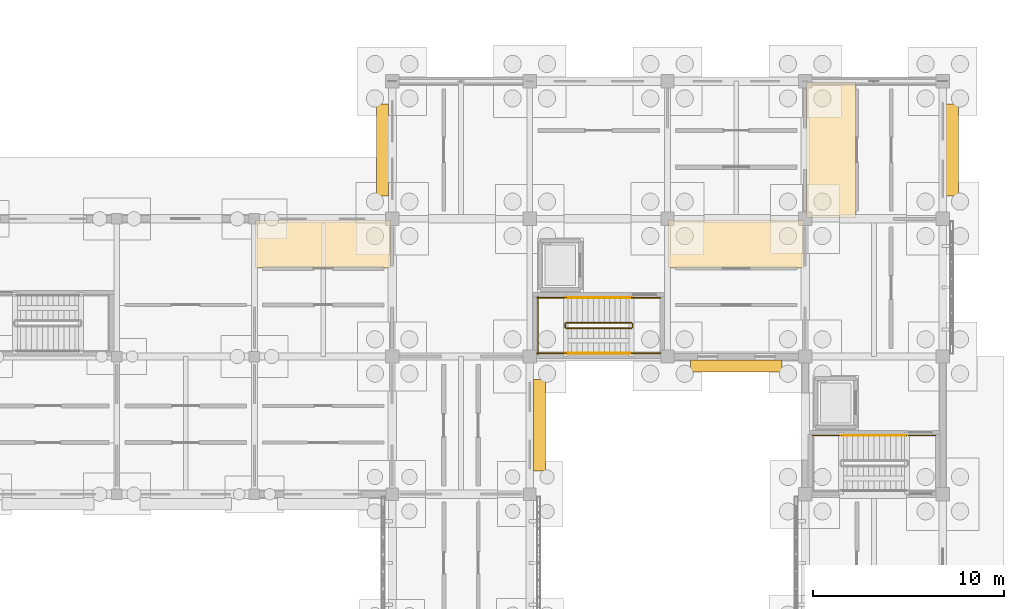
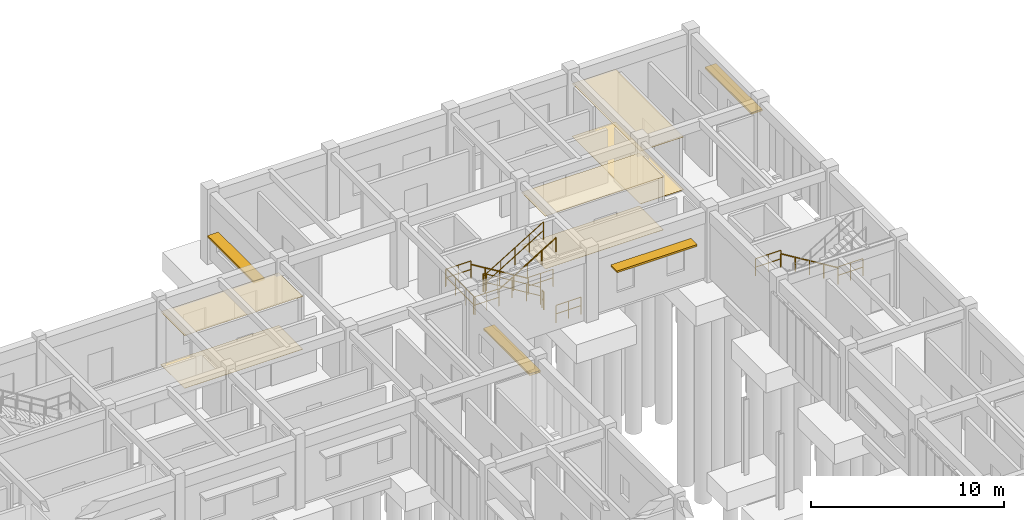
# One storey, part 110 of 111: 14 railings, 6 coverings, 4 shading devices.
"""IFC4 building model written with IfcOpenShell, lengths in metres."""

from ifc_helpers import new_model, si_unit, direction, frame, origin, origin_2d, place, context, subcontext, project, spatial, polyline, rectangle, circle, outline, extrude, material, layer, layer_set, type_object, element, save


model = new_model("IFC4")

# Units and contexts
model_context = context("Model", 3, precision=1e-05, world=origin(), true_north=direction((0.0, 1.0)))
body_context = subcontext(model_context, "Body", "Model", "MODEL_VIEW")
ifc_project = project(units=[si_unit("LENGTHUNIT", "METRE"), si_unit("AREAUNIT", "SQUARE_METRE"), si_unit("VOLUMEUNIT", "CUBIC_METRE"), si_unit("PLANEANGLEUNIT", "RADIAN"), si_unit("MASSUNIT", "GRAM", prefix="KILO")], contexts=[model_context])

# Site, building, storey
site_placement = place(None, origin())
site = spatial("IfcSite", under=ifc_project, at=site_placement, CompositionType="ELEMENT")
building_placement = place(site_placement, origin())
building = spatial("IfcBuilding", under=site, at=building_placement, Name="Aldebral Square Health Centre", CompositionType="ELEMENT")
storey_placement = place(building_placement, origin())
storey = spatial("IfcBuildingStorey", under=building, at=storey_placement, Name="L00", CompositionType="ELEMENT", Elevation=0.0)

# Coverings
ifc_material_1 = material(Name="Hygienic acoustic mineral ceiling tile")
ifc_layer_1 = layer(ifc_material_1, 0.02001953125, Name="Hygienic acoustic mineral ceiling tile")
ifc_layer_set_1 = layer_set([ifc_layer_1], Name="Hygienic acoustic mineral ceiling tile")
covering_type_1 = type_object("IfcCoveringType", Name="COV-CLG-AC", PredefinedType="CEILING", material=ifc_layer_set_1)
covering_1_placement = place(storey_placement, frame((0.0, 0.0, 3.340087890625)))
element("IfcCovering", 1, at=covering_1_placement, inside=storey, type_object=covering_type_1, Name="L00 Medical Records Archive 19.15N acoustic ceiling", PredefinedType="CEILING", context=body_context, shape_type="SweptSolid", body=[
    extrude(outline(polyline([(129.659912109375, 105.43994140625), (136.739990234375, 105.43994140625), (136.739990234375, 107.93994140625), (129.659912109375, 107.93994140625), (129.659912109375, 105.43994140625)])), origin(), (0.0, 0.0, 1.0), 0.02001953125),
])
covering_2_placement = place(storey_placement, frame((0.0, 0.0, 3.340087890625)))
element("IfcCovering", 2, at=covering_2_placement, inside=storey, type_object=covering_type_1, Name="L00 Medical Records Archive 22.15N acoustic ceiling", PredefinedType="CEILING", context=body_context, shape_type="SweptSolid", body=[
    extrude(outline(polyline([(151.260009765625, 105.43994140625), (158.340087890625, 105.43994140625), (158.340087890625, 107.93994140625), (151.260009765625, 107.93994140625), (151.260009765625, 105.43994140625)])), origin(), (0.0, 0.0, 1.0), 0.02001953125),
])
covering_3_placement = place(storey_placement, frame((0.0, 0.0, 3.340087890625)))
element("IfcCovering", 3, at=covering_3_placement, inside=storey, type_object=covering_type_1, Name="L00 Maternal-Child Clinic 23.16W acoustic ceiling", PredefinedType="CEILING", context=body_context, shape_type="SweptSolid", body=[
    extrude(outline(polyline([(158.4599609375, 108.06005859375), (161.06005859375, 108.06005859375), (161.06005859375, 115.139892578125), (158.4599609375, 115.139892578125), (158.4599609375, 108.06005859375)])), origin(), (0.0, 0.0, 1.0), 0.02001953125),
])
ifc_material_2 = material(Name="Antimicrobial clinical vinyl flooring")
ifc_layer_2 = layer(ifc_material_2, 0.014892578125, Name="Antimicrobial clinical vinyl flooring")
ifc_layer_set_2 = layer_set([ifc_layer_2], Name="Antimicrobial clinical vinyl flooring")
covering_type_2 = type_object("IfcCoveringType", Name="COV-FLR-VN", PredefinedType="FLOORING", material=ifc_layer_set_2)
covering_4_placement = place(storey_placement, origin())
element("IfcCovering", 4, at=covering_4_placement, inside=storey, type_object=covering_type_2, Name="L00 Medical Records Archive 19.15N clinical flooring", PredefinedType="FLOORING", context=body_context, shape_type="SweptSolid", body=[
    extrude(outline(polyline([(129.659912109375, 105.43994140625), (136.739990234375, 105.43994140625), (136.739990234375, 107.93994140625), (129.659912109375, 107.93994140625), (129.659912109375, 105.43994140625)])), origin(), (0.0, 0.0, 1.0), 0.014892578125),
])
covering_5_placement = place(storey_placement, origin())
element("IfcCovering", 5, at=covering_5_placement, inside=storey, type_object=covering_type_2, Name="L00 Medical Records Archive 22.15N clinical flooring", PredefinedType="FLOORING", context=body_context, shape_type="SweptSolid", body=[
    extrude(outline(polyline([(151.260009765625, 105.43994140625), (158.340087890625, 105.43994140625), (158.340087890625, 107.93994140625), (151.260009765625, 107.93994140625), (151.260009765625, 105.43994140625)])), origin(), (0.0, 0.0, 1.0), 0.014892578125),
])
covering_6_placement = place(storey_placement, origin())
element("IfcCovering", 6, at=covering_6_placement, inside=storey, type_object=covering_type_2, Name="L00 Maternal-Child Clinic 23.16W clinical flooring", PredefinedType="FLOORING", context=body_context, shape_type="SweptSolid", body=[
    extrude(outline(polyline([(158.4599609375, 108.06005859375), (161.06005859375, 108.06005859375), (161.06005859375, 115.139892578125), (158.4599609375, 115.139892578125), (158.4599609375, 108.06005859375)])), origin(), (0.0, 0.0, 1.0), 0.014892578125),
])

# Railings
ifc_material_3 = material(Name="Painted steel S355JR stair guard", Category="steel")
railing_type_1 = type_object("IfcRailingType", Name="RL-ST-GRD", PredefinedType="GUARDRAIL", material=ifc_material_3)
railing_1_placement = place(storey_placement, frame((160.300048828125, 96.669921875, 2.25)))
element("IfcRailing", 7, at=railing_1_placement, inside=storey, type_object=railing_type_1, Name="L00 ST-03 stair guard 3", PredefinedType="GUARDRAIL", context=body_context, shape_type="SweptSolid", body=[
    extrude(circle(Radius=0.02392578125, at=origin_2d()), frame((0.0, 0.0, 1.09619140625), z_axis=(-1.0, 0.0, 0.0), x_axis=(0.0, -1.0, 0.0)), (0.0, 0.0, 1.0), 1.52001953125),
    extrude(circle(Radius=0.02392578125, at=origin_2d()), frame((0.0, 0.0, 0.56005859375), z_axis=(-1.0, 0.0, 0.0), x_axis=(0.0, -1.0, 0.0)), (0.0, 0.0, 1.0), 1.52001953125),
    extrude(circle(Radius=0.02099609375, at=origin_2d()), origin(), (0.0, 0.0, 1.0), 1.072021484375),
    extrude(circle(Radius=0.02099609375, at=origin_2d()), frame((-0.760009765625, 0.0, 0.0)), (0.0, 0.0, 1.0), 1.072021484375),
    extrude(circle(Radius=0.02099609375, at=origin_2d()), frame((-1.52001953125, 0.0, 0.0)), (0.0, 0.0, 1.0), 1.072021484375),
])
railing_2_placement = place(storey_placement, frame((165.219970703125, 96.669921875, 0.0)))
element("IfcRailing", 8, at=railing_2_placement, inside=storey, type_object=railing_type_1, Name="L00 ST-03 stair guard 8", PredefinedType="GUARDRAIL", context=body_context, shape_type="SweptSolid", body=[
    extrude(circle(Radius=0.02392578125, at=origin_2d()), frame((0.0, 0.0, 1.09619140625), z_axis=(-1.0, 0.0, 0.0), x_axis=(0.0, -1.0, 0.0)), (0.0, 0.0, 1.0), 1.5),
    extrude(circle(Radius=0.02392578125, at=origin_2d()), frame((0.0, 0.0, 0.56005859375), z_axis=(-1.0, 0.0, 0.0), x_axis=(0.0, -1.0, 0.0)), (0.0, 0.0, 1.0), 1.5),
    extrude(circle(Radius=0.02099609375, at=origin_2d()), origin(), (0.0, 0.0, 1.0), 1.072021484375),
    extrude(circle(Radius=0.02099609375, at=origin_2d()), frame((-0.75, 0.0, 0.0)), (0.0, 0.0, 1.0), 1.072021484375),
    extrude(circle(Radius=0.02099609375, at=origin_2d()), frame((-1.5, 0.0, 0.0)), (0.0, 0.0, 1.0), 1.072021484375),
])
railing_3_placement = place(storey_placement, frame((149.320068359375, 102.570068359375, 0.173095703125)))
element("IfcRailing", 9, at=railing_3_placement, inside=storey, type_object=railing_type_1, Name="L00 ST-04 stair guard 1", PredefinedType="GUARDRAIL", context=body_context, shape_type="SweptSolid", body=[
    extrude(circle(Radius=0.02392578125, at=origin_2d()), frame((0.0, 0.0, 1.09619140625), z_axis=(-0.854745945586, 0.0, 0.519046595696), x_axis=(0.0, -1.0, 0.0)), (0.0, 0.0, 1.0), 4.00146484375),
    extrude(circle(Radius=0.02392578125, at=origin_2d()), frame((0.0, 0.0, 0.56005859375), z_axis=(-0.854745945586, 0.0, 0.519046595696), x_axis=(0.0, -1.0, 0.0)), (0.0, 0.0, 1.0), 4.00146484375),
    extrude(circle(Radius=0.02099609375, at=origin_2d()), origin(), (0.0, 0.0, 1.0), 1.072021484375),
    extrude(circle(Radius=0.02099609375, at=origin_2d()), frame((-0.85498046875, 0.0, 0.519287109375)), (0.0, 0.0, 1.0), 1.072021484375),
    extrude(circle(Radius=0.02099609375, at=origin_2d()), frame((-1.7099609375, 0.0, 1.03857421875)), (0.0, 0.0, 1.0), 1.072021484375),
    extrude(circle(Radius=0.02099609375, at=origin_2d()), frame((-2.565185546875, 0.0, 1.5576171875)), (0.0, 0.0, 1.0), 1.072021484375),
    extrude(circle(Radius=0.02099609375, at=origin_2d()), frame((-3.420166015625, 0.0, 2.076904296875)), (0.0, 0.0, 1.0), 1.072021484375),
])
railing_4_placement = place(storey_placement, frame((145.85009765625, 102.52001953125, 2.25)))
element("IfcRailing", 10, at=railing_4_placement, inside=storey, type_object=railing_type_1, Name="L00 ST-04 stair guard 2", PredefinedType="GUARDRAIL", context=body_context, shape_type="SweptSolid", body=[
    extrude(circle(Radius=0.02392578125, at=origin_2d()), frame((0.0, 0.0, 1.09619140625), z_axis=(0.0, -1.0, 0.0), x_axis=(1.0, 0.0, 0.0)), (0.0, 0.0, 1.0), 0.199951171875),
    extrude(circle(Radius=0.02392578125, at=origin_2d()), frame((0.0, 0.0, 0.56005859375), z_axis=(0.0, -1.0, 0.0), x_axis=(1.0, 0.0, 0.0)), (0.0, 0.0, 1.0), 0.199951171875),
    extrude(circle(Radius=0.02099609375, at=origin_2d()), origin(), (0.0, 0.0, 1.0), 1.072021484375),
    extrude(circle(Radius=0.02099609375, at=origin_2d()), frame((0.0, -0.199951171875, 0.0)), (0.0, 0.0, 1.0), 1.072021484375),
])
for number, where, name in (
    (11, (145.89990234375, 103.8701171875, 2.25), "L00 ST-04 stair guard 3"),
    (12, (145.89990234375, 100.969970703125, 2.25), "L00 ST-04 stair guard 4"),
):
    element("IfcRailing", number, at=place(storey_placement, frame(where)), inside=storey, type_object=railing_type_1, Name=name, PredefinedType="GUARDRAIL", context=body_context, shape_type="SweptSolid", body=[
        extrude(circle(Radius=0.02392578125, at=origin_2d()), frame((0.0, 0.0, 1.09619140625), z_axis=(-1.0, 0.0, 0.0), x_axis=(0.0, -1.0, 0.0)), (0.0, 0.0, 1.0), 1.52001953125),
        extrude(circle(Radius=0.02392578125, at=origin_2d()), frame((0.0, 0.0, 0.56005859375), z_axis=(-1.0, 0.0, 0.0), x_axis=(0.0, -1.0, 0.0)), (0.0, 0.0, 1.0), 1.52001953125),
        extrude(circle(Radius=0.02099609375, at=origin_2d()), origin(), (0.0, 0.0, 1.0), 1.072021484375),
        extrude(circle(Radius=0.02099609375, at=origin_2d()), frame((-0.760009765625, 0.0, 0.0)), (0.0, 0.0, 1.0), 1.072021484375),
        extrude(circle(Radius=0.02099609375, at=origin_2d()), frame((-1.52001953125, 0.0, 0.0)), (0.0, 0.0, 1.0), 1.072021484375),
    ])
railing_5_placement = place(storey_placement, frame((144.429931640625, 103.919921875, 2.25)))
element("IfcRailing", 13, at=railing_5_placement, inside=storey, type_object=railing_type_1, Name="L00 ST-04 stair guard 5", PredefinedType="GUARDRAIL", context=body_context, shape_type="SweptSolid", body=[
    extrude(circle(Radius=0.02392578125, at=origin_2d()), frame((0.0, 0.0, 1.09619140625), z_axis=(0.0, -1.0, 0.0), x_axis=(1.0, 0.0, 0.0)), (0.0, 0.0, 1.0), 3.0),
    extrude(circle(Radius=0.02392578125, at=origin_2d()), frame((0.0, 0.0, 0.56005859375), z_axis=(0.0, -1.0, 0.0), x_axis=(1.0, 0.0, 0.0)), (0.0, 0.0, 1.0), 3.0),
    extrude(circle(Radius=0.02099609375, at=origin_2d()), origin(), (0.0, 0.0, 1.0), 1.072021484375),
    extrude(circle(Radius=0.02099609375, at=origin_2d()), frame((0.0, -1.0, 0.0)), (0.0, 0.0, 1.0), 1.072021484375),
    extrude(circle(Radius=0.02099609375, at=origin_2d()), frame((0.0, -2.0, 0.0)), (0.0, 0.0, 1.0), 1.072021484375),
    extrude(circle(Radius=0.02099609375, at=origin_2d()), frame((0.0, -3.0, 0.0)), (0.0, 0.0, 1.0), 1.072021484375),
])
railing_6_placement = place(storey_placement, frame((145.89990234375, 102.27001953125, 2.423095703125)))
element("IfcRailing", 14, at=railing_6_placement, inside=storey, type_object=railing_type_1, Name="L00 ST-04 stair guard 6", PredefinedType="GUARDRAIL", context=body_context, shape_type="SweptSolid", body=[
    extrude(circle(Radius=0.02392578125, at=origin_2d()), frame((0.0, 0.0, 1.09619140625), z_axis=(0.854745945586, 0.0, 0.519046595696), x_axis=(0.0, 1.0, 0.0)), (0.0, 0.0, 1.0), 4.00146484375),
    extrude(circle(Radius=0.02392578125, at=origin_2d()), frame((0.0, 0.0, 0.56005859375), z_axis=(0.854745945586, 0.0, 0.519046595696), x_axis=(0.0, 1.0, 0.0)), (0.0, 0.0, 1.0), 4.00146484375),
    extrude(circle(Radius=0.02099609375, at=origin_2d()), origin(), (0.0, 0.0, 1.0), 1.072021484375),
    extrude(circle(Radius=0.02099609375, at=origin_2d()), frame((0.85498046875, 0.0, 0.519287109375)), (0.0, 0.0, 1.0), 1.072021484375),
    extrude(circle(Radius=0.02099609375, at=origin_2d()), frame((1.7099609375, 0.0, 1.03857421875)), (0.0, 0.0, 1.0), 1.072021484375),
    extrude(circle(Radius=0.02099609375, at=origin_2d()), frame((2.565185546875, 0.0, 1.5576171875)), (0.0, 0.0, 1.0), 1.072021484375),
    extrude(circle(Radius=0.02099609375, at=origin_2d()), frame((3.420166015625, 0.0, 2.076904296875)), (0.0, 0.0, 1.0), 1.072021484375),
])
railing_7_placement = place(storey_placement, frame((149.3701171875, 102.52001953125, 0.0)))
element("IfcRailing", 15, at=railing_7_placement, inside=storey, type_object=railing_type_1, Name="L00 ST-04 stair guard 7", PredefinedType="GUARDRAIL", context=body_context, shape_type="SweptSolid", body=[
    extrude(circle(Radius=0.02392578125, at=origin_2d()), frame((0.0, 0.0, 1.09619140625), z_axis=(0.0, -1.0, 0.0), x_axis=(1.0, 0.0, 0.0)), (0.0, 0.0, 1.0), 0.199951171875),
    extrude(circle(Radius=0.02392578125, at=origin_2d()), frame((0.0, 0.0, 0.56005859375), z_axis=(0.0, -1.0, 0.0), x_axis=(1.0, 0.0, 0.0)), (0.0, 0.0, 1.0), 0.199951171875),
    extrude(circle(Radius=0.02099609375, at=origin_2d()), origin(), (0.0, 0.0, 1.0), 1.072021484375),
    extrude(circle(Radius=0.02099609375, at=origin_2d()), frame((0.0, -0.199951171875, 0.0)), (0.0, 0.0, 1.0), 1.072021484375),
])
for number, where, name in (
    (16, (150.820068359375, 103.8701171875, 0.0), "L00 ST-04 stair guard 8"),
    (17, (150.820068359375, 100.969970703125, 0.0), "L00 ST-04 stair guard 9"),
):
    element("IfcRailing", number, at=place(storey_placement, frame(where)), inside=storey, type_object=railing_type_1, Name=name, PredefinedType="GUARDRAIL", context=body_context, shape_type="SweptSolid", body=[
        extrude(circle(Radius=0.02392578125, at=origin_2d()), frame((0.0, 0.0, 1.09619140625), z_axis=(-1.0, 0.0, 0.0), x_axis=(0.0, -1.0, 0.0)), (0.0, 0.0, 1.0), 1.5),
        extrude(circle(Radius=0.02392578125, at=origin_2d()), frame((0.0, 0.0, 0.56005859375), z_axis=(-1.0, 0.0, 0.0), x_axis=(0.0, -1.0, 0.0)), (0.0, 0.0, 1.0), 1.5),
        extrude(circle(Radius=0.02099609375, at=origin_2d()), origin(), (0.0, 0.0, 1.0), 1.072021484375),
        extrude(circle(Radius=0.02099609375, at=origin_2d()), frame((-0.75, 0.0, 0.0)), (0.0, 0.0, 1.0), 1.072021484375),
        extrude(circle(Radius=0.02099609375, at=origin_2d()), frame((-1.5, 0.0, 0.0)), (0.0, 0.0, 1.0), 1.072021484375),
    ])
ifc_material_4 = material(Name="Brushed stainless steel handrail", Category="steel")
railing_type_2 = type_object("IfcRailingType", Name="RL-ST-HND", PredefinedType="HANDRAIL", material=ifc_material_4)
railing_8_placement = place(storey_placement, frame((163.719970703125, 96.669921875, 0.173095703125)))
element("IfcRailing", 18, at=railing_8_placement, inside=storey, type_object=railing_type_2, Name="L00 ST-03 stair handrail 1", PredefinedType="HANDRAIL", context=body_context, shape_type="SweptSolid", body=[
    extrude(circle(Radius=0.02392578125, at=origin_2d()), frame((0.0, 0.0, 0.8759765625), z_axis=(-0.854729506542, 0.0, 0.519073665916), x_axis=(0.0, -1.0, 0.0)), (0.0, 0.0, 1.0), 4.001220703125),
    extrude(circle(Radius=0.02099609375, at=origin_2d()), origin(), (0.0, 0.0, 1.0), 0.851806640625),
    extrude(circle(Radius=0.02099609375, at=origin_2d()), frame((-0.85498046875, 0.0, 0.519287109375)), (0.0, 0.0, 1.0), 0.851806640625),
    extrude(circle(Radius=0.02099609375, at=origin_2d()), frame((-1.7099609375, 0.0, 1.03857421875)), (0.0, 0.0, 1.0), 0.851806640625),
    extrude(circle(Radius=0.02099609375, at=origin_2d()), frame((-2.56494140625, 0.0, 1.5576171875)), (0.0, 0.0, 1.0), 0.851806640625),
    extrude(circle(Radius=0.02099609375, at=origin_2d()), frame((-3.419921875, 0.0, 2.076904296875)), (0.0, 0.0, 1.0), 0.851806640625),
])
railing_9_placement = place(storey_placement, frame((149.320068359375, 103.8701171875, 0.173095703125)))
element("IfcRailing", 19, at=railing_9_placement, inside=storey, type_object=railing_type_2, Name="L00 ST-04 stair handrail 1", PredefinedType="HANDRAIL", context=body_context, shape_type="SweptSolid", body=[
    extrude(circle(Radius=0.02392578125, at=origin_2d()), frame((0.0, 0.0, 0.8759765625), z_axis=(-0.854745945586, 0.0, 0.519046595696), x_axis=(0.0, -1.0, 0.0)), (0.0, 0.0, 1.0), 4.00146484375),
    extrude(circle(Radius=0.02099609375, at=origin_2d()), origin(), (0.0, 0.0, 1.0), 0.851806640625),
    extrude(circle(Radius=0.02099609375, at=origin_2d()), frame((-0.85498046875, 0.0, 0.519287109375)), (0.0, 0.0, 1.0), 0.851806640625),
    extrude(circle(Radius=0.02099609375, at=origin_2d()), frame((-1.7099609375, 0.0, 1.03857421875)), (0.0, 0.0, 1.0), 0.851806640625),
    extrude(circle(Radius=0.02099609375, at=origin_2d()), frame((-2.565185546875, 0.0, 1.5576171875)), (0.0, 0.0, 1.0), 0.851806640625),
    extrude(circle(Radius=0.02099609375, at=origin_2d()), frame((-3.420166015625, 0.0, 2.076904296875)), (0.0, 0.0, 1.0), 0.851806640625),
])
railing_10_placement = place(storey_placement, frame((145.89990234375, 100.969970703125, 2.423095703125)))
element("IfcRailing", 20, at=railing_10_placement, inside=storey, type_object=railing_type_2, Name="L00 ST-04 stair handrail 2", PredefinedType="HANDRAIL", context=body_context, shape_type="SweptSolid", body=[
    extrude(circle(Radius=0.02392578125, at=origin_2d()), frame((0.0, 0.0, 0.8759765625), z_axis=(0.854745945586, 0.0, 0.519046595696), x_axis=(0.0, 1.0, 0.0)), (0.0, 0.0, 1.0), 4.00146484375),
    extrude(circle(Radius=0.02099609375, at=origin_2d()), origin(), (0.0, 0.0, 1.0), 0.851806640625),
    extrude(circle(Radius=0.02099609375, at=origin_2d()), frame((0.85498046875, 0.0, 0.519287109375)), (0.0, 0.0, 1.0), 0.851806640625),
    extrude(circle(Radius=0.02099609375, at=origin_2d()), frame((1.7099609375, 0.0, 1.03857421875)), (0.0, 0.0, 1.0), 0.851806640625),
    extrude(circle(Radius=0.02099609375, at=origin_2d()), frame((2.565185546875, 0.0, 1.5576171875)), (0.0, 0.0, 1.0), 0.851806640625),
    extrude(circle(Radius=0.02099609375, at=origin_2d()), frame((3.420166015625, 0.0, 2.076904296875)), (0.0, 0.0, 1.0), 0.851806640625),
])

# Shading devices
ifc_material_5 = material(Name="Sienna-terracotta solar hood", Category="masonry")
shading_device_type = type_object("IfcShadingDeviceType", Name="SHD-LVR-1", PredefinedType="JALOUSIE", material=ifc_material_5)
for number, where, z_axis, x_axis, name in (
    (21, (144.5048828125, 97.199951171875, 2.169921875), (0.0, 0.0, 1.0), (0.0, 1.0, 0.0), "L00 solar hood L00-V5-19-13-E"),
    (22, (136.294921875, 111.60009765625, 2.169921875), (0.0, 0.0, 1.0), (0.0, 1.0, 0.0), "L00 solar hood L00-V5-19-15-W"),
    (23, (154.800048828125, 100.304931640625, 2.669921875), (0.0, 0.0, 1.0), (1.0, 0.0, 0.0), "L00 solar hood L00-V5-21-14-S"),
    (24, (166.094970703125, 111.60009765625, 2.419921875), (0.0, 0.0, 1.0), (0.0, 1.0, 0.0), "L00 solar hood L00-V5-22-15-E"),
):
    element("IfcShadingDevice", number, at=place(storey_placement, frame(where, z_axis=z_axis, x_axis=x_axis)), inside=storey, type_object=shading_device_type, Name=name, PredefinedType="JALOUSIE", context=body_context, shape_type="SweptSolid", body=[
        extrude(rectangle(XDim=4.800048828125, YDim=0.64990234375, at=origin_2d()), origin(), (0.0, 0.0, 1.0), 0.1201171875),
    ])

save(model, "model.ifc")
